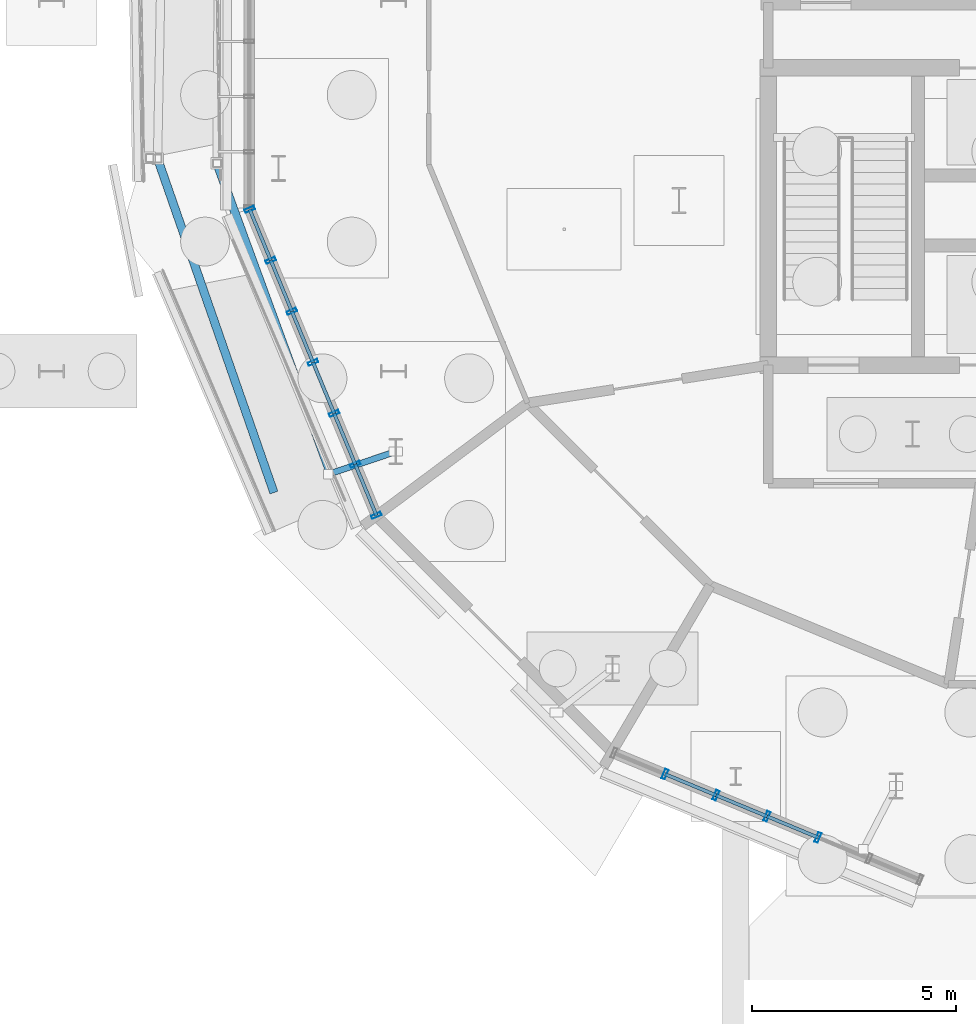
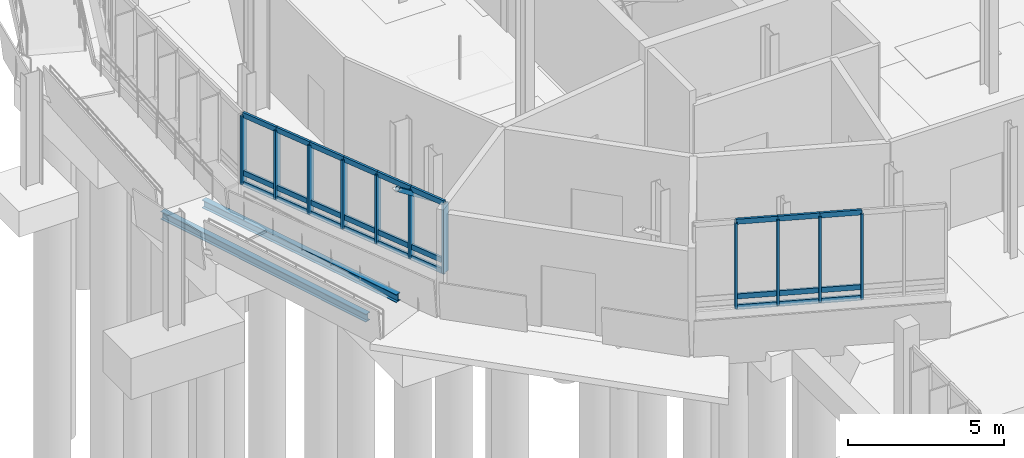
# One storey, part 34 of 119: 39 members, 2 beams, 2 elements without a shape of their own.
"""IFC4 building model written with IfcOpenShell, lengths in metres."""

from ifc_helpers import new_model, si_unit, derived_unit, direction, frame, origin, origin_2d, place, context, subcontext, project, spatial, hollow_rectangle, i_section, extrude, material, layer, layer_set, material_profile, profile_set, type_object, element, aggregate, save


model = new_model("IFC4")

# Units and contexts
model_context = context("Model", 3, precision=1e-05, world=origin(), true_north=direction((0.0, 1.0)))
body_context = subcontext(model_context, "Body", "Model", "MODEL_VIEW")
ifc_project = project(units=[si_unit("LENGTHUNIT", "METRE"), si_unit("AREAUNIT", "SQUARE_METRE"), si_unit("VOLUMEUNIT", "CUBIC_METRE"), si_unit("PLANEANGLEUNIT", "RADIAN"), si_unit("MASSUNIT", "GRAM", prefix="KILO"), derived_unit("THERMALTRANSMITTANCEUNIT", [(si_unit("MASSUNIT", "GRAM", prefix="KILO"), 1), (si_unit("TIMEUNIT", "SECOND"), -3), (si_unit("THERMODYNAMICTEMPERATUREUNIT", "KELVIN"), -1)])], contexts=[model_context])

# Site, building, storey
site_placement = place(None, origin())
site = spatial("IfcSite", under=ifc_project, at=site_placement, CompositionType="ELEMENT")
building_placement = place(site_placement, origin())
building = spatial("IfcBuilding", under=site, at=building_placement, Name="Makaiwela Harbour Ferry Terminal", CompositionType="ELEMENT")
storey_placement = place(building_placement, origin())
storey = spatial("IfcBuildingStorey", under=building, at=storey_placement, Name="L00", CompositionType="ELEMENT", Elevation=0.0)

# Curtain wall, members
ifc_material_1 = material(Name="Marine anodised aluminium 6063-T6", Category="aluminium")
ifc_layer_1 = layer(ifc_material_1, 0.199951171875)
ifc_layer_set_1 = layer_set([ifc_layer_1], Name="Marine anodised aluminium 6063-T6")
curtain_wall_type_1 = type_object("IfcCurtainWallType", Name="ENV-CW-02", PredefinedType="USERDEFINED", material=ifc_layer_set_1)
curtain_wall_1_placement = place(storey_placement, origin())
curtain_wall_1 = element("IfcCurtainWall", 1, at=curtain_wall_1_placement, inside=storey, type_object=curtain_wall_type_1, Name="Unitised Curtain Wall CWA-007", ObjectType="UNITIZED CURTAIN WALL", PredefinedType="USERDEFINED")
ifc_material_profile_1 = material_profile(ifc_material_1, hollow_rectangle(XDim=0.0849609375, YDim=0.25, WallThickness=0.0048828125, at=origin_2d()), Name="CWM-250X85")
ifc_profile_set_1 = profile_set([ifc_material_profile_1], Name="Marine anodised aluminium 6063-T6")
member_type_1 = type_object("IfcMemberType", Name="CW-MUL-250", PredefinedType="MULLION", material=ifc_profile_set_1)
member_1_placement = place(storey_placement, frame((17.465087890625, 63.325439453125, 1.47998046875), z_axis=(0.0, 0.0, 1.0), x_axis=(-0.382683432365, 0.923879532511, 0.0)))
member_1 = element("IfcMember", 2, at=member_1_placement, type_object=member_type_1, Name="Curtain Wall Mullion CWA-007-1", PredefinedType="MULLION", context=body_context, shape_type="SweptSolid", body=[
    extrude(hollow_rectangle(XDim=0.0849609375, YDim=0.25, WallThickness=0.0048828125, at=origin_2d()), origin(), (0.0, 0.0, 1.0), 2.679931640625),
])
member_2_placement = place(storey_placement, frame((17.98388671875, 62.072998046875, 1.47998046875), z_axis=(0.0, 0.0, 1.0), x_axis=(-0.382683432365, 0.923879532511, 0.0)))
member_2 = element("IfcMember", 3, at=member_2_placement, type_object=member_type_1, Name="Curtain Wall Mullion CWA-007-2", PredefinedType="MULLION", context=body_context, shape_type="SweptSolid", body=[
    extrude(hollow_rectangle(XDim=0.0849609375, YDim=0.25, WallThickness=0.0048828125, at=origin_2d()), origin(), (0.0, 0.0, 1.0), 2.679931640625),
])
member_3_placement = place(storey_placement, frame((18.50244140625, 60.820556640625, 1.47998046875), z_axis=(0.0, 0.0, 1.0), x_axis=(-0.382683432365, 0.923879532511, 0.0)))
member_3 = element("IfcMember", 4, at=member_3_placement, type_object=member_type_1, Name="Curtain Wall Mullion CWA-007-3", PredefinedType="MULLION", context=body_context, shape_type="SweptSolid", body=[
    extrude(hollow_rectangle(XDim=0.0849609375, YDim=0.25, WallThickness=0.0048828125, at=origin_2d()), origin(), (0.0, 0.0, 1.0), 2.679931640625),
])
member_4_placement = place(storey_placement, frame((19.021240234375, 59.568115234375, 1.47998046875), z_axis=(0.0, 0.0, 1.0), x_axis=(-0.382683432365, 0.923879532511, 0.0)))
member_4 = element("IfcMember", 5, at=member_4_placement, type_object=member_type_1, Name="Curtain Wall Mullion CWA-007-4", PredefinedType="MULLION", context=body_context, shape_type="SweptSolid", body=[
    extrude(hollow_rectangle(XDim=0.0849609375, YDim=0.25, WallThickness=0.0048828125, at=origin_2d()), origin(), (0.0, 0.0, 1.0), 2.679931640625),
])
member_5_placement = place(storey_placement, frame((19.5400390625, 58.315673828125, 1.47998046875), z_axis=(0.0, 0.0, 1.0), x_axis=(-0.382683432365, 0.923879532511, 0.0)))
member_5 = element("IfcMember", 6, at=member_5_placement, type_object=member_type_1, Name="Curtain Wall Mullion CWA-007-5", PredefinedType="MULLION", context=body_context, shape_type="SweptSolid", body=[
    extrude(hollow_rectangle(XDim=0.0849609375, YDim=0.25, WallThickness=0.0048828125, at=origin_2d()), origin(), (0.0, 0.0, 1.0), 2.679931640625),
])
member_6_placement = place(storey_placement, frame((20.058837890625, 57.063232421875, 1.47998046875), z_axis=(0.0, 0.0, 1.0), x_axis=(-0.382683432365, 0.923879532511, 0.0)))
member_6 = element("IfcMember", 7, at=member_6_placement, type_object=member_type_1, Name="Curtain Wall Mullion CWA-007-6", PredefinedType="MULLION", context=body_context, shape_type="SweptSolid", body=[
    extrude(hollow_rectangle(XDim=0.0849609375, YDim=0.25, WallThickness=0.0048828125, at=origin_2d()), origin(), (0.0, 0.0, 1.0), 2.679931640625),
])
member_7_placement = place(storey_placement, frame((20.57763671875, 55.810791015625, 1.47998046875), z_axis=(0.0, 0.0, 1.0), x_axis=(-0.382683432365, 0.923879532511, 0.0)))
member_7 = element("IfcMember", 8, at=member_7_placement, type_object=member_type_1, Name="Curtain Wall Mullion CWA-007-7", PredefinedType="MULLION", context=body_context, shape_type="SweptSolid", body=[
    extrude(hollow_rectangle(XDim=0.0849609375, YDim=0.25, WallThickness=0.0048828125, at=origin_2d()), origin(), (0.0, 0.0, 1.0), 2.679931640625),
])

ifc_layer_2 = layer(ifc_material_1, 0.199951171875)
ifc_layer_set_2 = layer_set([ifc_layer_2], Name="Marine anodised aluminium 6063-T6")
curtain_wall_type_2 = type_object("IfcCurtainWallType", Name="ENV-CW-01", PredefinedType="USERDEFINED", material=ifc_layer_set_2)
curtain_wall_2_placement = place(storey_placement, origin())
curtain_wall_2 = element("IfcCurtainWall", 9, at=curtain_wall_2_placement, inside=storey, type_object=curtain_wall_type_2, Name="Unitised Curtain Wall CWA-008", ObjectType="UNITIZED CURTAIN WALL", PredefinedType="USERDEFINED")
member_8_placement = place(storey_placement, frame((27.6630859375, 49.458740234375, 1.47998046875), z_axis=(0.0, 0.0, 1.0), x_axis=(-0.923879532511, 0.382683432365, 0.0)))
member_8 = element("IfcMember", 10, at=member_8_placement, type_object=member_type_1, Name="Curtain Wall Mullion CWA-008-2", PredefinedType="MULLION", context=body_context, shape_type="SweptSolid", body=[
    extrude(hollow_rectangle(XDim=0.0849609375, YDim=0.25, WallThickness=0.0048828125, at=origin_2d()), origin(), (0.0, 0.0, 1.0), 3.340087890625),
])
member_9_placement = place(storey_placement, frame((28.91552734375, 48.940185546875, 1.47998046875), z_axis=(0.0, 0.0, 1.0), x_axis=(-0.923879532511, 0.382683432365, 0.0)))
member_9 = element("IfcMember", 11, at=member_9_placement, type_object=member_type_1, Name="Curtain Wall Mullion CWA-008-3", PredefinedType="MULLION", context=body_context, shape_type="SweptSolid", body=[
    extrude(hollow_rectangle(XDim=0.0849609375, YDim=0.25, WallThickness=0.0048828125, at=origin_2d()), origin(), (0.0, 0.0, 1.0), 3.340087890625),
])
member_10_placement = place(storey_placement, frame((30.168212890625, 48.42138671875, 1.47998046875), z_axis=(0.0, 0.0, 1.0), x_axis=(-0.923879532511, 0.382683432365, 0.0)))
member_10 = element("IfcMember", 12, at=member_10_placement, type_object=member_type_1, Name="Curtain Wall Mullion CWA-008-4", PredefinedType="MULLION", context=body_context, shape_type="SweptSolid", body=[
    extrude(hollow_rectangle(XDim=0.0849609375, YDim=0.25, WallThickness=0.0048828125, at=origin_2d()), origin(), (0.0, 0.0, 1.0), 3.340087890625),
])
member_11_placement = place(storey_placement, frame((31.42041015625, 47.902587890625, 1.47998046875), z_axis=(0.0, 0.0, 1.0), x_axis=(-0.923879532511, 0.382683432365, 0.0)))
member_11 = element("IfcMember", 13, at=member_11_placement, type_object=member_type_1, Name="Curtain Wall Mullion CWA-008-5", PredefinedType="MULLION", context=body_context, shape_type="SweptSolid", body=[
    extrude(hollow_rectangle(XDim=0.0849609375, YDim=0.25, WallThickness=0.0048828125, at=origin_2d()), origin(), (0.0, 0.0, 1.0), 3.340087890625),
])

# Member
ifc_material_profile_2 = material_profile(ifc_material_1, hollow_rectangle(XDim=0.0849609375, YDim=0.199951171875, WallThickness=0.0048828125, at=origin_2d()), Name="CWT-200X85")
ifc_profile_set_2 = profile_set([ifc_material_profile_2], Name="Marine anodised aluminium 6063-T6")
member_type_2 = type_object("IfcMemberType", Name="CW-TRN-200", PredefinedType="USERDEFINED", material=ifc_profile_set_2)
member_12_placement = place(storey_placement, frame((17.465087890625, 63.325439453125, 1.47998046875), z_axis=(0.382696410016, -0.923874156886, 0.0), x_axis=(0.923874156886, 0.382696410016, 0.0)))
member_12 = element("IfcMember", 14, at=member_12_placement, type_object=member_type_2, Name="Curtain Wall Transom CWA-007-1-1", ObjectType="TRANSOM", PredefinedType="USERDEFINED", context=body_context, shape_type="SweptSolid", body=[
    extrude(hollow_rectangle(XDim=0.0849609375, YDim=0.199951171875, WallThickness=0.0048828125, at=origin_2d()), origin(), (0.0, 0.0, 1.0), 1.355712890625),
])

member_13_placement = place(storey_placement, frame((17.465087890625, 63.325439453125, 1.89990234375), z_axis=(0.382696410016, -0.923874156886, 0.0), x_axis=(0.923874156886, 0.382696410016, 0.0)))
member_13 = element("IfcMember", 15, at=member_13_placement, type_object=member_type_2, Name="Curtain Wall Transom CWA-007-1-2", ObjectType="TRANSOM", PredefinedType="USERDEFINED", context=body_context, shape_type="SweptSolid", body=[
    extrude(hollow_rectangle(XDim=0.0849609375, YDim=0.199951171875, WallThickness=0.0048828125, at=origin_2d()), origin(), (0.0, 0.0, 1.0), 1.355712890625),
])

member_14_placement = place(storey_placement, frame((17.465087890625, 63.325439453125, 4.159912109375), z_axis=(0.382696410016, -0.923874156886, 0.0), x_axis=(0.923874156886, 0.382696410016, 0.0)))
member_14 = element("IfcMember", 16, at=member_14_placement, type_object=member_type_2, Name="Curtain Wall Transom CWA-007-1-3", ObjectType="TRANSOM", PredefinedType="USERDEFINED", context=body_context, shape_type="SweptSolid", body=[
    extrude(hollow_rectangle(XDim=0.0849609375, YDim=0.199951171875, WallThickness=0.0048828125, at=origin_2d()), origin(), (0.0, 0.0, 1.0), 1.355712890625),
])

member_15_placement = place(storey_placement, frame((17.98388671875, 62.072998046875, 1.47998046875), z_axis=(0.382542677411, -0.923937822561, 0.0), x_axis=(0.923937822561, 0.382542677411, 0.0)))
member_15 = element("IfcMember", 17, at=member_15_placement, type_object=member_type_2, Name="Curtain Wall Transom CWA-007-2-1", ObjectType="TRANSOM", PredefinedType="USERDEFINED", context=body_context, shape_type="SweptSolid", body=[
    extrude(hollow_rectangle(XDim=0.0849609375, YDim=0.199951171875, WallThickness=0.0048828125, at=origin_2d()), origin(), (0.0, 0.0, 1.0), 1.35546875),
])

member_16_placement = place(storey_placement, frame((17.98388671875, 62.072998046875, 1.89990234375), z_axis=(0.382542677411, -0.923937822561, 0.0), x_axis=(0.923937822561, 0.382542677411, 0.0)))
member_16 = element("IfcMember", 18, at=member_16_placement, type_object=member_type_2, Name="Curtain Wall Transom CWA-007-2-2", ObjectType="TRANSOM", PredefinedType="USERDEFINED", context=body_context, shape_type="SweptSolid", body=[
    extrude(hollow_rectangle(XDim=0.0849609375, YDim=0.199951171875, WallThickness=0.0048828125, at=origin_2d()), origin(), (0.0, 0.0, 1.0), 1.35546875),
])

member_17_placement = place(storey_placement, frame((17.98388671875, 62.072998046875, 4.159912109375), z_axis=(0.382542677411, -0.923937822561, 0.0), x_axis=(0.923937822561, 0.382542677411, 0.0)))
member_17 = element("IfcMember", 19, at=member_17_placement, type_object=member_type_2, Name="Curtain Wall Transom CWA-007-2-3", ObjectType="TRANSOM", PredefinedType="USERDEFINED", context=body_context, shape_type="SweptSolid", body=[
    extrude(hollow_rectangle(XDim=0.0849609375, YDim=0.199951171875, WallThickness=0.0048828125, at=origin_2d()), origin(), (0.0, 0.0, 1.0), 1.35546875),
])

member_18_placement = place(storey_placement, frame((18.50244140625, 60.820556640625, 1.47998046875), z_axis=(0.382696410016, -0.923874156886, 0.0), x_axis=(0.923874156886, 0.382696410016, 0.0)))
member_18 = element("IfcMember", 20, at=member_18_placement, type_object=member_type_2, Name="Curtain Wall Transom CWA-007-3-1", ObjectType="TRANSOM", PredefinedType="USERDEFINED", context=body_context, shape_type="SweptSolid", body=[
    extrude(hollow_rectangle(XDim=0.0849609375, YDim=0.199951171875, WallThickness=0.0048828125, at=origin_2d()), origin(), (0.0, 0.0, 1.0), 1.355712890625),
])

member_19_placement = place(storey_placement, frame((18.50244140625, 60.820556640625, 1.89990234375), z_axis=(0.382696410016, -0.923874156886, 0.0), x_axis=(0.923874156886, 0.382696410016, 0.0)))
member_19 = element("IfcMember", 21, at=member_19_placement, type_object=member_type_2, Name="Curtain Wall Transom CWA-007-3-2", ObjectType="TRANSOM", PredefinedType="USERDEFINED", context=body_context, shape_type="SweptSolid", body=[
    extrude(hollow_rectangle(XDim=0.0849609375, YDim=0.199951171875, WallThickness=0.0048828125, at=origin_2d()), origin(), (0.0, 0.0, 1.0), 1.355712890625),
])

member_20_placement = place(storey_placement, frame((18.50244140625, 60.820556640625, 4.159912109375), z_axis=(0.382696410016, -0.923874156886, 0.0), x_axis=(0.923874156886, 0.382696410016, 0.0)))
member_20 = element("IfcMember", 22, at=member_20_placement, type_object=member_type_2, Name="Curtain Wall Transom CWA-007-3-3", ObjectType="TRANSOM", PredefinedType="USERDEFINED", context=body_context, shape_type="SweptSolid", body=[
    extrude(hollow_rectangle(XDim=0.0849609375, YDim=0.199951171875, WallThickness=0.0048828125, at=origin_2d()), origin(), (0.0, 0.0, 1.0), 1.355712890625),
])

member_21_placement = place(storey_placement, frame((19.021240234375, 59.568115234375, 1.47998046875), z_axis=(0.382696410016, -0.923874156886, 0.0), x_axis=(0.923874156886, 0.382696410016, 0.0)))
member_21 = element("IfcMember", 23, at=member_21_placement, type_object=member_type_2, Name="Curtain Wall Transom CWA-007-4-1", ObjectType="TRANSOM", PredefinedType="USERDEFINED", context=body_context, shape_type="SweptSolid", body=[
    extrude(hollow_rectangle(XDim=0.0849609375, YDim=0.199951171875, WallThickness=0.0048828125, at=origin_2d()), origin(), (0.0, 0.0, 1.0), 1.355712890625),
])

member_22_placement = place(storey_placement, frame((19.021240234375, 59.568115234375, 1.89990234375), z_axis=(0.382696410016, -0.923874156886, 0.0), x_axis=(0.923874156886, 0.382696410016, 0.0)))
member_22 = element("IfcMember", 24, at=member_22_placement, type_object=member_type_2, Name="Curtain Wall Transom CWA-007-4-2", ObjectType="TRANSOM", PredefinedType="USERDEFINED", context=body_context, shape_type="SweptSolid", body=[
    extrude(hollow_rectangle(XDim=0.0849609375, YDim=0.199951171875, WallThickness=0.0048828125, at=origin_2d()), origin(), (0.0, 0.0, 1.0), 1.355712890625),
])

member_23_placement = place(storey_placement, frame((19.021240234375, 59.568115234375, 4.159912109375), z_axis=(0.382696410016, -0.923874156886, 0.0), x_axis=(0.923874156886, 0.382696410016, 0.0)))
member_23 = element("IfcMember", 25, at=member_23_placement, type_object=member_type_2, Name="Curtain Wall Transom CWA-007-4-3", ObjectType="TRANSOM", PredefinedType="USERDEFINED", context=body_context, shape_type="SweptSolid", body=[
    extrude(hollow_rectangle(XDim=0.0849609375, YDim=0.199951171875, WallThickness=0.0048828125, at=origin_2d()), origin(), (0.0, 0.0, 1.0), 1.355712890625),
])

member_24_placement = place(storey_placement, frame((19.5400390625, 58.315673828125, 1.47998046875), z_axis=(0.382696410016, -0.923874156886, 0.0), x_axis=(0.923874156886, 0.382696410016, 0.0)))
member_24 = element("IfcMember", 26, at=member_24_placement, type_object=member_type_2, Name="Curtain Wall Transom CWA-007-5-1", ObjectType="TRANSOM", PredefinedType="USERDEFINED", context=body_context, shape_type="SweptSolid", body=[
    extrude(hollow_rectangle(XDim=0.0849609375, YDim=0.199951171875, WallThickness=0.0048828125, at=origin_2d()), origin(), (0.0, 0.0, 1.0), 1.355712890625),
])

member_25_placement = place(storey_placement, frame((19.5400390625, 58.315673828125, 1.89990234375), z_axis=(0.382696410016, -0.923874156886, 0.0), x_axis=(0.923874156886, 0.382696410016, 0.0)))
member_25 = element("IfcMember", 27, at=member_25_placement, type_object=member_type_2, Name="Curtain Wall Transom CWA-007-5-2", ObjectType="TRANSOM", PredefinedType="USERDEFINED", context=body_context, shape_type="SweptSolid", body=[
    extrude(hollow_rectangle(XDim=0.0849609375, YDim=0.199951171875, WallThickness=0.0048828125, at=origin_2d()), origin(), (0.0, 0.0, 1.0), 1.355712890625),
])

member_26_placement = place(storey_placement, frame((19.5400390625, 58.315673828125, 4.159912109375), z_axis=(0.382696410016, -0.923874156886, 0.0), x_axis=(0.923874156886, 0.382696410016, 0.0)))
member_26 = element("IfcMember", 28, at=member_26_placement, type_object=member_type_2, Name="Curtain Wall Transom CWA-007-5-3", ObjectType="TRANSOM", PredefinedType="USERDEFINED", context=body_context, shape_type="SweptSolid", body=[
    extrude(hollow_rectangle(XDim=0.0849609375, YDim=0.199951171875, WallThickness=0.0048828125, at=origin_2d()), origin(), (0.0, 0.0, 1.0), 1.355712890625),
])

member_27_placement = place(storey_placement, frame((20.058837890625, 57.063232421875, 1.47998046875), z_axis=(0.382696410016, -0.923874156886, 0.0), x_axis=(0.923874156886, 0.382696410016, 0.0)))
member_27 = element("IfcMember", 29, at=member_27_placement, type_object=member_type_2, Name="Curtain Wall Transom CWA-007-6-1", ObjectType="TRANSOM", PredefinedType="USERDEFINED", context=body_context, shape_type="SweptSolid", body=[
    extrude(hollow_rectangle(XDim=0.0849609375, YDim=0.199951171875, WallThickness=0.0048828125, at=origin_2d()), origin(), (0.0, 0.0, 1.0), 1.355712890625),
])

member_28_placement = place(storey_placement, frame((20.058837890625, 57.063232421875, 1.89990234375), z_axis=(0.382696410016, -0.923874156886, 0.0), x_axis=(0.923874156886, 0.382696410016, 0.0)))
member_28 = element("IfcMember", 30, at=member_28_placement, type_object=member_type_2, Name="Curtain Wall Transom CWA-007-6-2", ObjectType="TRANSOM", PredefinedType="USERDEFINED", context=body_context, shape_type="SweptSolid", body=[
    extrude(hollow_rectangle(XDim=0.0849609375, YDim=0.199951171875, WallThickness=0.0048828125, at=origin_2d()), origin(), (0.0, 0.0, 1.0), 1.355712890625),
])

member_29_placement = place(storey_placement, frame((20.058837890625, 57.063232421875, 4.159912109375), z_axis=(0.382696410016, -0.923874156886, 0.0), x_axis=(0.923874156886, 0.382696410016, 0.0)))
member_29 = element("IfcMember", 31, at=member_29_placement, type_object=member_type_2, Name="Curtain Wall Transom CWA-007-6-3", ObjectType="TRANSOM", PredefinedType="USERDEFINED", context=body_context, shape_type="SweptSolid", body=[
    extrude(hollow_rectangle(XDim=0.0849609375, YDim=0.199951171875, WallThickness=0.0048828125, at=origin_2d()), origin(), (0.0, 0.0, 1.0), 1.355712890625),
])

aggregate(curtain_wall_1, [member_1, member_2, member_3, member_4, member_5, member_6, member_7, member_12, member_13, member_14, member_15, member_16, member_17, member_18, member_19, member_20, member_21, member_22, member_23, member_24, member_25, member_26, member_27, member_28, member_29])

member_30_placement = place(storey_placement, frame((27.6630859375, 49.458740234375, 1.47998046875), z_axis=(0.923937822561, -0.382542677411, 0.0), x_axis=(0.382542677411, 0.923937822561, 0.0)))
member_30 = element("IfcMember", 32, at=member_30_placement, type_object=member_type_2, Name="Curtain Wall Transom CWA-008-2-1", ObjectType="TRANSOM", PredefinedType="USERDEFINED", context=body_context, shape_type="SweptSolid", body=[
    extrude(hollow_rectangle(XDim=0.0849609375, YDim=0.199951171875, WallThickness=0.0048828125, at=origin_2d()), origin(), (0.0, 0.0, 1.0), 1.35546875),
])

member_31_placement = place(storey_placement, frame((27.6630859375, 49.458740234375, 1.89990234375), z_axis=(0.923937822561, -0.382542677411, 0.0), x_axis=(0.382542677411, 0.923937822561, 0.0)))
member_31 = element("IfcMember", 33, at=member_31_placement, type_object=member_type_2, Name="Curtain Wall Transom CWA-008-2-2", ObjectType="TRANSOM", PredefinedType="USERDEFINED", context=body_context, shape_type="SweptSolid", body=[
    extrude(hollow_rectangle(XDim=0.0849609375, YDim=0.199951171875, WallThickness=0.0048828125, at=origin_2d()), origin(), (0.0, 0.0, 1.0), 1.35546875),
])

member_32_placement = place(storey_placement, frame((27.6630859375, 49.458740234375, 4.820068359375), z_axis=(0.923937822561, -0.382542677411, 0.0), x_axis=(0.382542677411, 0.923937822561, 0.0)))
member_32 = element("IfcMember", 34, at=member_32_placement, type_object=member_type_2, Name="Curtain Wall Transom CWA-008-2-3", ObjectType="TRANSOM", PredefinedType="USERDEFINED", context=body_context, shape_type="SweptSolid", body=[
    extrude(hollow_rectangle(XDim=0.0849609375, YDim=0.199951171875, WallThickness=0.0048828125, at=origin_2d()), origin(), (0.0, 0.0, 1.0), 1.35546875),
])

member_33_placement = place(storey_placement, frame((28.91552734375, 48.940185546875, 1.47998046875), z_axis=(0.923900526019, -0.382632745623, 0.0), x_axis=(0.382632745623, 0.923900526019, 0.0)))
member_33 = element("IfcMember", 35, at=member_33_placement, type_object=member_type_2, Name="Curtain Wall Transom CWA-008-3-1", ObjectType="TRANSOM", PredefinedType="USERDEFINED", context=body_context, shape_type="SweptSolid", body=[
    extrude(hollow_rectangle(XDim=0.0849609375, YDim=0.199951171875, WallThickness=0.0048828125, at=origin_2d()), origin(), (0.0, 0.0, 1.0), 1.35595703125),
])

member_34_placement = place(storey_placement, frame((28.91552734375, 48.940185546875, 1.89990234375), z_axis=(0.923900526019, -0.382632745623, 0.0), x_axis=(0.382632745623, 0.923900526019, 0.0)))
member_34 = element("IfcMember", 36, at=member_34_placement, type_object=member_type_2, Name="Curtain Wall Transom CWA-008-3-2", ObjectType="TRANSOM", PredefinedType="USERDEFINED", context=body_context, shape_type="SweptSolid", body=[
    extrude(hollow_rectangle(XDim=0.0849609375, YDim=0.199951171875, WallThickness=0.0048828125, at=origin_2d()), origin(), (0.0, 0.0, 1.0), 1.35595703125),
])

member_35_placement = place(storey_placement, frame((28.91552734375, 48.940185546875, 4.820068359375), z_axis=(0.923900526019, -0.382632745623, 0.0), x_axis=(0.382632745623, 0.923900526019, 0.0)))
member_35 = element("IfcMember", 37, at=member_35_placement, type_object=member_type_2, Name="Curtain Wall Transom CWA-008-3-3", ObjectType="TRANSOM", PredefinedType="USERDEFINED", context=body_context, shape_type="SweptSolid", body=[
    extrude(hollow_rectangle(XDim=0.0849609375, YDim=0.199951171875, WallThickness=0.0048828125, at=origin_2d()), origin(), (0.0, 0.0, 1.0), 1.35595703125),
])

member_36_placement = place(storey_placement, frame((30.168212890625, 48.42138671875, 1.47998046875), z_axis=(0.923847774587, -0.38276009378, 0.0), x_axis=(0.38276009378, 0.923847774587, 0.0)))
member_36 = element("IfcMember", 38, at=member_36_placement, type_object=member_type_2, Name="Curtain Wall Transom CWA-008-4-1", ObjectType="TRANSOM", PredefinedType="USERDEFINED", context=body_context, shape_type="SweptSolid", body=[
    extrude(hollow_rectangle(XDim=0.0849609375, YDim=0.199951171875, WallThickness=0.0048828125, at=origin_2d()), origin(), (0.0, 0.0, 1.0), 1.35546875),
])

member_37_placement = place(storey_placement, frame((30.168212890625, 48.42138671875, 1.89990234375), z_axis=(0.923847774587, -0.38276009378, 0.0), x_axis=(0.38276009378, 0.923847774587, 0.0)))
member_37 = element("IfcMember", 39, at=member_37_placement, type_object=member_type_2, Name="Curtain Wall Transom CWA-008-4-2", ObjectType="TRANSOM", PredefinedType="USERDEFINED", context=body_context, shape_type="SweptSolid", body=[
    extrude(hollow_rectangle(XDim=0.0849609375, YDim=0.199951171875, WallThickness=0.0048828125, at=origin_2d()), origin(), (0.0, 0.0, 1.0), 1.35546875),
])

member_38_placement = place(storey_placement, frame((30.168212890625, 48.42138671875, 4.820068359375), z_axis=(0.923847774587, -0.38276009378, 0.0), x_axis=(0.38276009378, 0.923847774587, 0.0)))
member_38 = element("IfcMember", 40, at=member_38_placement, type_object=member_type_2, Name="Curtain Wall Transom CWA-008-4-3", ObjectType="TRANSOM", PredefinedType="USERDEFINED", context=body_context, shape_type="SweptSolid", body=[
    extrude(hollow_rectangle(XDim=0.0849609375, YDim=0.199951171875, WallThickness=0.0048828125, at=origin_2d()), origin(), (0.0, 0.0, 1.0), 1.35546875),
])

aggregate(curtain_wall_2, [member_8, member_9, member_10, member_11, member_30, member_31, member_32, member_33, member_34, member_35, member_36, member_37, member_38])

# Beams
ifc_material_2 = material(Name="Steel ASTM A992 Grade 50", Category="steel")
ifc_material_profile_3 = material_profile(ifc_material_2, i_section(OverallWidth=0.205078125, OverallDepth=0.31005859375, WebThickness=0.009521484375, FlangeThickness=0.016357421875, at=origin_2d()), Name="W12X50")
ifc_profile_set_3 = profile_set([ifc_material_profile_3], Name="Steel ASTM A992 Grade 50")
beam_type = type_object("IfcBeamType", Name="STR-LNT-W12X50", PredefinedType="LINTEL", material=ifc_profile_set_3)
beam_1_placement = place(storey_placement, frame((19.450439453125, 56.839599609375, 0.239990234375), z_axis=(-0.343917229337, 0.938962957981, 0.008336840162), x_axis=(-0.938995590009, -0.343929181583, 0.0)))
element("IfcBeam", 41, at=beam_1_placement, inside=storey, type_object=beam_type, Name="Coiled Ramp Stringer L00-F1-IN", PredefinedType="LINTEL", context=body_context, shape_type="SweptSolid", body=[
    extrude(i_section(OverallWidth=0.205078125, OverallDepth=0.31005859375, WebThickness=0.009521484375, FlangeThickness=0.016357421875, at=origin_2d()), origin(), (0.0, 0.0, 1.0), 8.11181640625),
])
beam_2_placement = place(storey_placement, frame((18.06005859375, 56.372802734375, 0.239990234375), z_axis=(-0.328950967807, 0.94431783682, 0.00742184903), x_axis=(-0.944343846222, -0.328960028123, 0.0)))
element("IfcBeam", 42, at=beam_2_placement, inside=storey, type_object=beam_type, Name="Coiled Ramp Stringer L00-F1-OUT", PredefinedType="LINTEL", context=body_context, shape_type="SweptSolid", body=[
    extrude(i_section(OverallWidth=0.205078125, OverallDepth=0.31005859375, WebThickness=0.009521484375, FlangeThickness=0.016357421875, at=origin_2d()), origin(), (0.0, 0.0, 1.0), 8.684326171875),
])

# Member
ifc_material_3 = material(Name="Steel ASTM A500 Grade C", Category="steel")
ifc_material_profile_4 = material_profile(ifc_material_3, hollow_rectangle(XDim=0.152099609375, YDim=0.152099609375, WallThickness=0.0087890625, at=origin_2d()), Name="HSS6X6X3/8")
ifc_profile_set_4 = profile_set([ifc_material_profile_4], Name="Steel ASTM A500 Grade C")
member_type_3 = type_object("IfcMemberType", Name="STR-STT-HSS6", PredefinedType="STRUT", material=ifc_profile_set_4)
member_39_placement = place(storey_placement, frame((21.052490234375, 57.37744140625, 3.199951171875), z_axis=(-0.758496855929, -0.254618297038, 0.599876689295), x_axis=(0.318236087907, -0.948011493788, 0.0)))
element("IfcMember", 43, at=member_39_placement, inside=storey, type_object=member_type_3, Name="Structural Member SR-01", PredefinedType="STRUT", context=body_context, shape_type="SweptSolid", body=[
    extrude(hollow_rectangle(XDim=0.152099609375, YDim=0.152099609375, WallThickness=0.0087890625, at=origin_2d()), origin(), (0.0, 0.0, 1.0), 2.187255859375),
])

save(model, "model.ifc")
